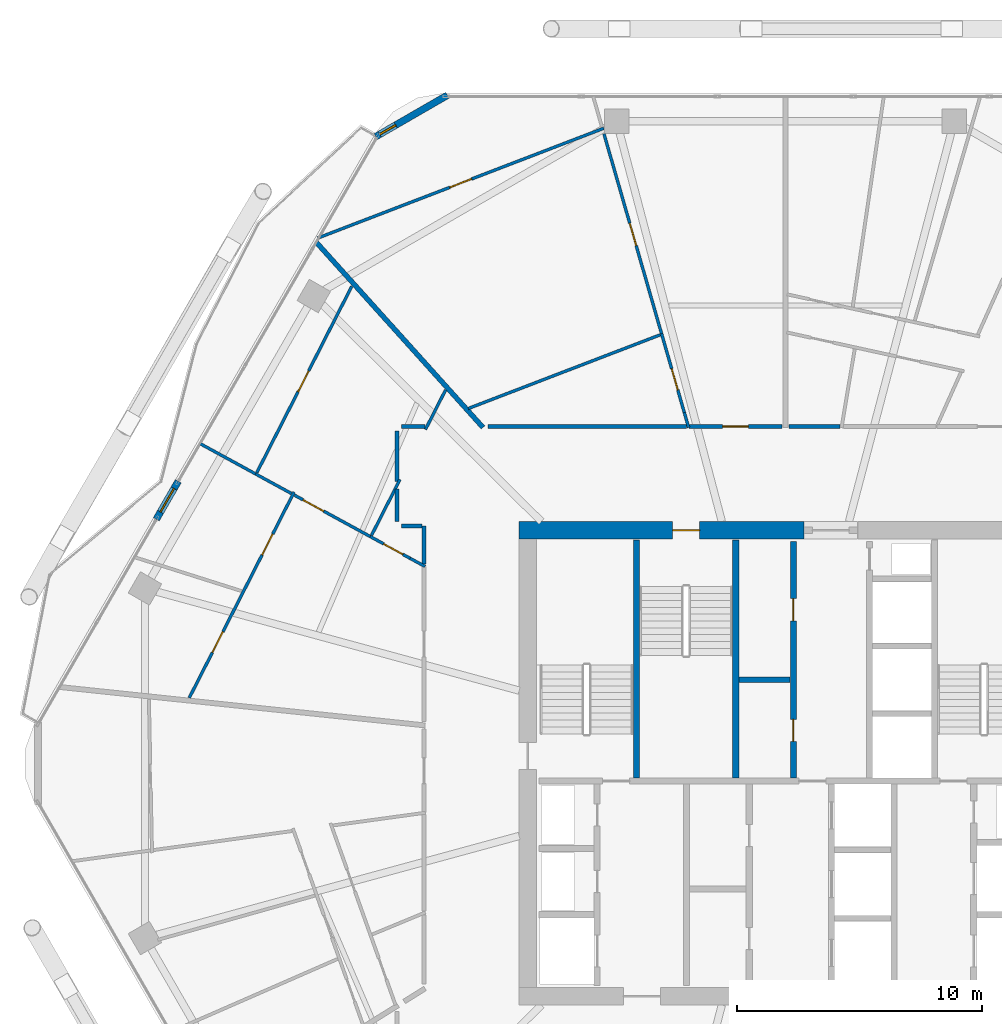
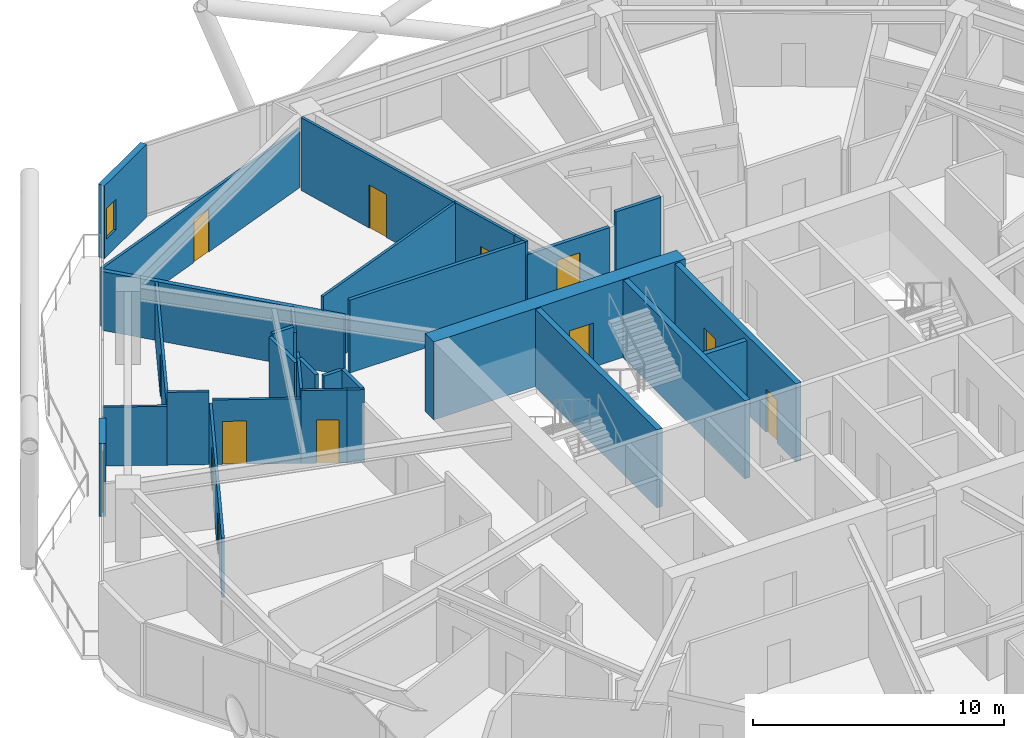
# One storey, part 23 of 28: 30 walls, 13 doors, 1 window, 14 openings.
"""IFC4 building model written with IfcOpenShell, lengths in metres."""

from ifc_helpers import new_model, si_unit, direction, frame, frame_2d, origin, place, context, subcontext, project, spatial, rectangle, extrude, material, layer, layer_set, type_object, element, fill, save


model = new_model("IFC4")

# Units and contexts
model_context = context("Model", 3, precision=1e-05, world=origin(), true_north=direction((0.0, 1.0)))
body_context = subcontext(model_context, "Body", "Model", "MODEL_VIEW")
ifc_project = project(units=[si_unit("LENGTHUNIT", "METRE"), si_unit("AREAUNIT", "SQUARE_METRE"), si_unit("VOLUMEUNIT", "CUBIC_METRE"), si_unit("PLANEANGLEUNIT", "RADIAN"), si_unit("MASSUNIT", "GRAM", prefix="KILO")], contexts=[model_context])

# Site, building, storey
site_placement = place(None, origin())
site = spatial("IfcSite", under=ifc_project, at=site_placement, CompositionType="ELEMENT")
building_placement = place(site_placement, origin())
building = spatial("IfcBuilding", under=site, at=building_placement, Name="Zuhravey Tower", CompositionType="ELEMENT")
storey_placement = place(building_placement, frame((0.0, 0.0, 154.199951171875)))
storey = spatial("IfcBuildingStorey", under=building, at=storey_placement, Name="L38", CompositionType="ELEMENT", Elevation=154.199951171875)

# Wall, opening, door
ifc_material_1 = material(Name="Concrete C60/75", Category="concrete")
ifc_layer_1 = layer(ifc_material_1, 0.699951171875)
ifc_layer_set_1 = layer_set([ifc_layer_1], Name="Concrete C60/75")
wall_type_1 = type_object("IfcWallType", Name="Core Shear Wall 700", PredefinedType="SHEAR", material=ifc_layer_set_1)
wall_1_placement = place(storey_placement, frame((36.75, 41.5, 0.0), z_axis=(0.0, 0.0, 1.0), x_axis=(-1.0, 0.0, 0.0)))
wall_1 = element("IfcWall", 1, at=wall_1_placement, inside=storey, type_object=wall_type_1, Name="L38 North-West Core Shear Wall CW70", PredefinedType="SHEAR", context=body_context, shape_type="SweptSolid", body=[
    extrude(rectangle(XDim=11.60009765625, YDim=0.699951171875, at=frame_2d((5.800048828125, 0.0))), origin(), (0.0, 0.0, 1.0), 3.800048828125),
])
opening_1_placement = place(wall_1_placement, frame((4.25, 0.0, 0.0)))
opening_1 = element("IfcOpeningElement", 2, at=opening_1_placement, cuts=wall_1, Name="Opening STD1", PredefinedType="OPENING", context=body_context, shape_type="SweptSolid", body=[
    extrude(rectangle(XDim=1.10009765625, YDim=2.14990234375, at=frame_2d((0.550048828125, 1.074951171875))), frame((0.0, 0.362060546875, 0.0), z_axis=(0.0, -1.0, 0.0), x_axis=(1.0, 0.0, 0.0)), (0.0, 0.0, 1.0), 0.723876953125),
])
ifc_material_2 = material(Name="Galvanised fire-rated steel leaf", Category="steel")
door_type_1 = type_object("IfcDoorType", Name="Protected Stair Fire Door 1100x2150", OperationType="NOTDEFINED", PredefinedType="USERDEFINED", material=ifc_material_2)
door_1_placement = place(opening_1_placement, origin())
door_1 = element("IfcDoor", 3, at=door_1_placement, inside=storey, type_object=door_type_1, Name="L38 Stair ST3 Door", ObjectType="EXITDOOR", OperationType="SINGLE_SWING_RIGHT", OverallHeight=2.14990234375, OverallWidth=1.10009765625, PredefinedType="USERDEFINED", context=body_context, shape_type="SweptSolid", body=[
    extrude(rectangle(XDim=1.10009765625, YDim=2.14990234375, at=frame_2d((0.550048828125, 1.074951171875))), frame((0.0, 0.02490234375, 0.0), z_axis=(0.0, -1.0, 0.0), x_axis=(1.0, 0.0, 0.0)), (0.0, 0.0, 1.0), 0.050048828125),
])
fill(opening_1, door_1)

ifc_material_3 = material(Name="Gypsum fire-rated stud partition")
ifc_layer_2 = layer(ifc_material_3, 0.159912109375)
ifc_layer_set_2 = layer_set([ifc_layer_2], Name="Gypsum fire-rated stud partition")
wall_type_2 = type_object("IfcWallType", Name="Corridor Fire Partition 160", PredefinedType="PARTITIONING", material=ifc_layer_set_2)
wall_2_placement = place(storey_placement, frame((35.860107421875, 45.72998046875, 0.0), z_axis=(0.0, 0.0, 1.0), x_axis=(-1.0, 0.0, 0.0)))
wall_2 = element("IfcWall", 4, at=wall_2_placement, inside=storey, type_object=wall_type_2, Name="L38 IW16 Partition 031", PredefinedType="PARTITIONING", context=body_context, shape_type="SweptSolid", body=[
    extrude(rectangle(XDim=3.797119140625, YDim=0.159912109375, at=frame_2d((1.8984375, 0.0))), origin(), (0.0, 0.0, 1.0), 2.900146484375),
])
opening_2_placement = place(wall_2_placement, frame((1.37353515625, 0.0, 0.0)))
opening_2 = element("IfcOpeningElement", 5, at=opening_2_placement, cuts=wall_2, Name="Opening APD1", PredefinedType="OPENING", context=body_context, shape_type="SweptSolid", body=[
    extrude(rectangle(XDim=1.050048828125, YDim=2.14990234375, at=frame_2d((0.52490234375, 1.074951171875))), frame((0.0, 0.092041015625, 0.0), z_axis=(0.0, -1.0, 0.0), x_axis=(1.0, 0.0, 0.0)), (0.0, 0.0, 1.0), 0.183837890625),
])
ifc_material_4 = material(Name="Solid-core oak fire-rated leaf")
door_type_2 = type_object("IfcDoorType", Name="Apartment Entrance Fire Door 1050x2150", OperationType="NOTDEFINED", PredefinedType="DOOR", material=ifc_material_4)
door_2_placement = place(opening_2_placement, frame((1.050048828125, 0.0, 0.0), z_axis=(0.0, 0.0, 1.0), x_axis=(-1.0, 0.0, 0.0)))
door_2 = element("IfcDoor", 6, at=door_2_placement, inside=storey, type_object=door_type_2, Name="L38 Door 031.1", OperationType="SINGLE_SWING_LEFT", OverallHeight=2.14990234375, OverallWidth=1.050048828125, PredefinedType="DOOR", context=body_context, shape_type="SweptSolid", body=[
    extrude(rectangle(XDim=1.050048828125, YDim=2.14990234375, at=frame_2d((0.52490234375, 1.074951171875))), frame((0.0, 0.02490234375, 0.0), z_axis=(0.0, -1.0, 0.0), x_axis=(1.0, 0.0, 0.0)), (0.0, 0.0, 1.0), 0.050048828125),
])
fill(opening_2, door_2)

# Walls
wall_3_placement = place(storey_placement, frame((38.228271484375, 45.72998046875, 0.0), z_axis=(0.0, 0.0, 1.0), x_axis=(-1.0, 0.0, 0.0)))
element("IfcWall", 7, at=wall_3_placement, inside=storey, type_object=wall_type_2, Name="L38 IW16 Partition 116", PredefinedType="PARTITIONING", context=body_context, shape_type="SweptSolid", body=[
    extrude(rectangle(XDim=2.08837890625, YDim=0.159912109375, at=frame_2d((1.044189453125, 0.0))), origin(), (0.0, 0.0, 1.0), 3.550048828125),
])
wall_4_placement = place(storey_placement, frame((31.971435546875, 45.72998046875, 0.0), z_axis=(0.0, 0.0, 1.0), x_axis=(-1.0, 0.0, 0.0)))
element("IfcWall", 8, at=wall_4_placement, inside=storey, type_object=wall_type_2, Name="L38 IW16 Partition 117", PredefinedType="PARTITIONING", context=body_context, shape_type="SweptSolid", body=[
    extrude(rectangle(XDim=8.092041015625, YDim=0.159912109375, at=frame_2d((4.0458984375, 0.0))), origin(), (0.0, 0.0, 1.0), 3.550048828125),
])
wall_5_placement = place(storey_placement, frame((21.27001953125, 41.669921875, 0.0), z_axis=(0.0, 0.0, 1.0), x_axis=(0.0, -1.0, 0.0)))
element("IfcWall", 9, at=wall_5_placement, inside=storey, type_object=wall_type_2, Name="L38 IW16 Partition 118", PredefinedType="PARTITIONING", context=body_context, shape_type="SweptSolid", body=[
    extrude(rectangle(XDim=1.548095703125, YDim=0.159912109375, at=frame_2d((0.77392578125, 0.0))), origin(), (0.0, 0.0, 1.0), 3.550048828125),
])
wall_6_placement = place(storey_placement, frame((20.169921875, 43.1865234375, 0.0), z_axis=(0.0, 0.0, 1.0), x_axis=(0.0, -1.0, 0.0)))
element("IfcWall", 10, at=wall_6_placement, inside=storey, type_object=wall_type_2, Name="L38 IW16 Partition 119", PredefinedType="PARTITIONING", context=body_context, shape_type="SweptSolid", body=[
    extrude(rectangle(XDim=1.33642578125, YDim=0.159912109375, at=frame_2d((0.668212890625, 0.0))), origin(), (0.0, 0.0, 1.0), 3.550048828125),
])
wall_7_placement = place(storey_placement, frame((20.35009765625, 41.669921875, 0.0), z_axis=(0.0, 0.0, 1.0), x_axis=(1.0, 0.0, 0.0)))
element("IfcWall", 11, at=wall_7_placement, inside=storey, type_object=wall_type_2, Name="L38 IW16 Partition 120", PredefinedType="PARTITIONING", context=body_context, shape_type="SweptSolid", body=[
    extrude(rectangle(XDim=0.831787109375, YDim=0.159912109375, at=frame_2d((0.416015625, 0.0))), origin(), (0.0, 0.0, 1.0), 3.550048828125),
])
wall_8_placement = place(storey_placement, frame((20.169921875, 45.550048828125, 0.0), z_axis=(0.0, 0.0, 1.0), x_axis=(0.0, -1.0, 0.0)))
element("IfcWall", 12, at=wall_8_placement, inside=storey, type_object=wall_type_2, Name="L38 IW16 Partition 121", PredefinedType="PARTITIONING", context=body_context, shape_type="SweptSolid", body=[
    extrude(rectangle(XDim=2.06396484375, YDim=0.159912109375, at=frame_2d((1.031982421875, 0.0))), origin(), (0.0, 0.0, 1.0), 3.150146484375),
])
wall_9_placement = place(storey_placement, frame((21.313232421875, 45.72998046875, 0.0), z_axis=(0.0, 0.0, 1.0), x_axis=(-1.0, 0.0, 0.0)))
element("IfcWall", 13, at=wall_9_placement, inside=storey, type_object=wall_type_2, Name="L38 IW16 Partition 122", PredefinedType="PARTITIONING", context=body_context, shape_type="SweptSolid", body=[
    extrude(rectangle(XDim=0.963134765625, YDim=0.159912109375, at=frame_2d((0.4814453125, 0.0))), origin(), (0.0, 0.0, 1.0), 3.150146484375),
])

# Wall, opening, door
ifc_material_5 = material(Name="Precast concrete C40/50", Category="concrete")
ifc_layer_3 = layer(ifc_material_5, 0.280029296875)
ifc_layer_set_3 = layer_set([ifc_layer_3], Name="Precast concrete C40/50")
wall_type_3 = type_object("IfcWallType", Name="Crown Architectural Wall 280", PredefinedType="SOLIDWALL", material=ifc_layer_set_3)
wall_10_placement = place(storey_placement, frame((10.353759765625, 41.94580078125, 0.0), z_axis=(0.0, 0.0, 1.0), x_axis=(0.500041240653, 0.866001592173, 0.0)))
wall_10 = element("IfcWall", 14, at=wall_10_placement, inside=storey, type_object=wall_type_3, Name="L38 Face 3 Facade Pier EW28-1", PredefinedType="SOLIDWALL", context=body_context, shape_type="SweptSolid", body=[
    extrude(rectangle(XDim=1.789794921875, YDim=0.280029296875, at=frame_2d((0.89501953125, 0.0))), origin(), (0.0, 0.0, 1.0), 3.550048828125),
])
opening_3_placement = place(wall_10_placement, frame((0.344970703125, 0.0, 0.0)))
opening_3 = element("IfcOpeningElement", 15, at=opening_3_placement, cuts=wall_10, Name="Opening BLD1", PredefinedType="OPENING", context=body_context, shape_type="SweptSolid", body=[
    extrude(rectangle(XDim=1.10009765625, YDim=2.199951171875, at=frame_2d((0.550048828125, 1.10009765625))), frame((0.0, 0.152099609375, 0.0), z_axis=(0.0, -1.0, 0.0), x_axis=(1.0, 0.0, 0.0)), (0.0, 0.0, 1.0), 0.303955078125),
])
ifc_material_6 = material(Name="Thermally broken aluminium and low-E glass", Category="aluminium")
door_type_3 = type_object("IfcDoorType", Name="Balcony & Sky-Tray Glazed Door 1100x2200", OperationType="NOTDEFINED", PredefinedType="DOOR", material=ifc_material_6)
door_3_placement = place(opening_3_placement, frame((1.10009765625, 0.0, 0.0), z_axis=(0.0, 0.0, 1.0), x_axis=(-1.0, 0.0, 0.0)))
door_3 = element("IfcDoor", 16, at=door_3_placement, inside=storey, type_object=door_type_3, Name="L38 Face 3 Wave Balcony Door", OperationType="SINGLE_SWING_RIGHT", OverallHeight=2.199951171875, OverallWidth=1.10009765625, PredefinedType="DOOR", context=body_context, shape_type="SweptSolid", body=[
    extrude(rectangle(XDim=1.10009765625, YDim=2.199951171875, at=frame_2d((0.550048828125, 1.10009765625))), frame((0.0, 0.02490234375, 0.0), z_axis=(0.0, -1.0, 0.0), x_axis=(1.0, 0.0, 0.0)), (0.0, 0.0, 1.0), 0.050048828125),
])
fill(opening_3, door_3)

# Wall, opening, window
wall_11_placement = place(storey_placement, frame((19.306884765625, 57.548095703125, 0.0), z_axis=(0.0, 0.0, 1.0), x_axis=(0.866020068361, 0.500009241111, 0.0)))
wall_11 = element("IfcWall", 17, at=wall_11_placement, inside=storey, type_object=wall_type_3, Name="L38 Rounded Corner Closure Wall EW28-08", PredefinedType="SOLIDWALL", context=body_context, shape_type="SweptSolid", body=[
    extrude(rectangle(XDim=3.365234375, YDim=0.280029296875, at=frame_2d((1.6826171875, 0.0))), origin(), (0.0, 0.0, 1.0), 3.550048828125),
])
opening_4_placement = place(wall_11_placement, frame((0.17919921875, 0.0, 0.85009765625)))
opening_4 = element("IfcOpeningElement", 18, at=opening_4_placement, cuts=wall_11, Name="Opening WN5", PredefinedType="OPENING", context=body_context, shape_type="SweptSolid", body=[
    extrude(rectangle(XDim=0.75, YDim=1.5, at=frame_2d((0.375, 0.75))), frame((0.0, 0.152099609375, 0.0), z_axis=(0.0, -1.0, 0.0), x_axis=(1.0, 0.0, 0.0)), (0.0, 0.0, 1.0), 0.303955078125),
])
ifc_material_7 = material(Name="Thermally broken aluminium and triple low-E glass", Category="aluminium")
window_type = type_object("IfcWindowType", Name="Residential Corner Casement Window 750x1500", PartitioningType="SINGLE_PANEL", PredefinedType="WINDOW", material=ifc_material_7)
window_placement = place(opening_4_placement, origin())
window = element("IfcWindow", 19, at=window_placement, inside=storey, type_object=window_type, Name="L38 Corner Casement Window WN5-08.1", OverallHeight=1.5, OverallWidth=0.75, PartitioningType="SINGLE_PANEL", PredefinedType="WINDOW", context=body_context, shape_type="SweptSolid", body=[
    extrude(rectangle(XDim=0.75, YDim=1.5, at=frame_2d((0.375, 0.75))), frame((0.0, 0.030029296875, 0.0), z_axis=(0.0, -1.0, 0.0), x_axis=(1.0, 0.0, 0.0)), (0.0, 0.0, 1.0), 0.06005859375),
])
fill(opening_4, window)

# Walls
ifc_material_8 = material(Name="Concrete C50/60", Category="concrete")
ifc_layer_4 = layer(ifc_material_8, 0.25)
ifc_layer_set_4 = layer_set([ifc_layer_4], Name="Concrete C50/60")
wall_type_4 = type_object("IfcWallType", Name="Firefighting Shaft & Stair Wall 250", PredefinedType="SOLIDWALL", material=ifc_layer_set_4)
for number, where, z_axis, x_axis, name in (
    (20, (29.925048828125, 31.39990234375, 0.0), (0.0, 0.0, 1.0), (0.0, 1.0, 0.0), "L38 FW25 Shaft Wall 004"),
    (21, (33.97509765625, 31.39990234375, 0.0), (0.0, 0.0, 1.0), (0.0, 1.0, 0.0), "L38 FW25 Shaft Wall 005"),
):
    element("IfcWall", number, at=place(storey_placement, frame(where, z_axis=z_axis, x_axis=x_axis)), inside=storey, type_object=wall_type_4, Name=name, PredefinedType="SOLIDWALL", context=body_context, shape_type="SweptSolid", body=[
        extrude(rectangle(XDim=9.7001953125, YDim=0.25, at=frame_2d((4.85009765625, 0.0))), origin(), (0.0, 0.0, 1.0), 3.800048828125),
    ])

# Wall, openings, doors
wall_12_placement = place(storey_placement, frame((36.324951171875, 31.39990234375, 0.0), z_axis=(0.0, 0.0, 1.0), x_axis=(0.0, 1.0, 0.0)))
wall_12 = element("IfcWall", 22, at=wall_12_placement, inside=storey, type_object=wall_type_4, Name="L38 FW25 Shaft Wall 007", PredefinedType="SOLIDWALL", context=body_context, shape_type="SweptSolid", body=[
    extrude(rectangle(XDim=9.650146484375, YDim=0.25, at=frame_2d((4.8251953125, 0.0))), origin(), (0.0, 0.0, 1.0), 3.800048828125),
])
opening_5_placement = place(wall_12_placement, frame((1.489990234375, 0.0, 0.0)))
opening_5 = element("IfcOpeningElement", 23, at=opening_5_placement, cuts=wall_12, Name="Opening RSD1", PredefinedType="OPENING", context=body_context, shape_type="SweptSolid", body=[
    extrude(rectangle(XDim=0.89990234375, YDim=2.10009765625, at=frame_2d((0.449951171875, 1.050048828125))), frame((0.0, 0.136962890625, 0.0), z_axis=(0.0, -1.0, 0.0), x_axis=(1.0, 0.0, 0.0)), (0.0, 0.0, 1.0), 0.27392578125),
])
opening_6_placement = place(wall_12_placement, frame((6.409912109375, 0.0, 0.0)))
opening_6 = element("IfcOpeningElement", 24, at=opening_6_placement, cuts=wall_12, Name="Opening RSD1", PredefinedType="OPENING", context=body_context, shape_type="SweptSolid", body=[
    extrude(rectangle(XDim=0.89990234375, YDim=2.10009765625, at=frame_2d((0.449951171875, 1.050048828125))), frame((0.0, 0.136962890625, 0.0), z_axis=(0.0, -1.0, 0.0), x_axis=(1.0, 0.0, 0.0)), (0.0, 0.0, 1.0), 0.27392578125),
])
ifc_material_9 = material(Name="Galvanised fire-rated steel access leaf", Category="steel")
door_type_4 = type_object("IfcDoorType", Name="Riser & Shaft Access Fire Door 900x2100", OperationType="NOTDEFINED", PredefinedType="DOOR", material=ifc_material_9)
door_4_placement = place(opening_5_placement, origin())
door_4 = element("IfcDoor", 25, at=door_4_placement, inside=storey, type_object=door_type_4, Name="L38 Core Cleaner Store Door", OperationType="SINGLE_SWING_RIGHT", OverallHeight=2.10009765625, OverallWidth=0.89990234375, PredefinedType="DOOR", context=body_context, shape_type="SweptSolid", body=[
    extrude(rectangle(XDim=0.89990234375, YDim=2.10009765625, at=frame_2d((0.449951171875, 1.050048828125))), frame((0.0, 0.02490234375, 0.0), z_axis=(0.0, -1.0, 0.0), x_axis=(1.0, 0.0, 0.0)), (0.0, 0.0, 1.0), 0.050048828125),
])
fill(opening_5, door_4)
door_5_placement = place(opening_6_placement, origin())
door_5 = element("IfcDoor", 26, at=door_5_placement, inside=storey, type_object=door_type_4, Name="L38 Core Pantry and Tea Room Door", OperationType="SINGLE_SWING_LEFT", OverallHeight=2.10009765625, OverallWidth=0.89990234375, PredefinedType="DOOR", context=body_context, shape_type="SweptSolid", body=[
    extrude(rectangle(XDim=0.89990234375, YDim=2.10009765625, at=frame_2d((0.449951171875, 1.050048828125))), frame((0.0, 0.02490234375, 0.0), z_axis=(0.0, -1.0, 0.0), x_axis=(1.0, 0.0, 0.0)), (0.0, 0.0, 1.0), 0.050048828125),
])
fill(opening_6, door_5)

# Walls
ifc_material_10 = material(Name="Gypsum double-stud party assembly")
ifc_layer_5 = layer(ifc_material_10, 0.199951171875)
ifc_layer_set_5 = layer_set([ifc_layer_5], Name="Gypsum double-stud party assembly")
wall_type_5 = type_object("IfcWallType", Name="Inter-Tenancy Party Wall 200", PredefinedType="PARTITIONING", material=ifc_layer_set_5)
wall_13_placement = place(storey_placement, frame((23.673583984375, 45.68994140625, 0.0), z_axis=(0.0, 0.0, 1.0), x_axis=(-0.669133315117, 0.743142386492, 0.0)))
element("IfcWall", 27, at=wall_13_placement, inside=storey, type_object=wall_type_5, Name="L38 IW20 Partition 079", PredefinedType="PARTITIONING", context=body_context, shape_type="SweptSolid", body=[
    extrude(rectangle(XDim=10.160400390625, YDim=0.199951171875, at=frame_2d((5.080078125, 0.0))), origin(), (0.0, 0.0, 1.0), 2.8701171875),
])
ifc_material_11 = material(Name="Gypsum acoustic stud assembly")
ifc_layer_6 = layer(ifc_material_11, 0.219970703125)
ifc_layer_set_6 = layer_set([ifc_layer_6], Name="Gypsum acoustic stud assembly")
wall_type_6 = type_object("IfcWallType", Name="School Acoustic Compartment Wall 220", PredefinedType="PARTITIONING", material=ifc_layer_set_6)
wall_14_placement = place(storey_placement, frame((34.10791015625, 35.39990234375, 0.0), z_axis=(0.0, 0.0, 1.0), x_axis=(1.0, 0.0, 0.0)))
element("IfcWall", 28, at=wall_14_placement, inside=storey, type_object=wall_type_6, Name="L38 IW22 Partition 056", PredefinedType="PARTITIONING", context=body_context, shape_type="SweptSolid", body=[
    extrude(rectangle(XDim=2.083984375, YDim=0.219970703125, at=frame_2d((1.0419921875, 0.0))), origin(), (0.0, 0.0, 1.0), 3.550048828125),
])

# Wall, opening, door
ifc_material_12 = material(Name="Gypsum metal-stud partition")
ifc_layer_7 = layer(ifc_material_12, 0.1201171875)
ifc_layer_set_7 = layer_set([ifc_layer_7], Name="Gypsum metal-stud partition")
wall_type_7 = type_object("IfcWallType", Name="Unit Internal Partition 120", PredefinedType="PARTITIONING", material=ifc_layer_set_7)
wall_15_placement = place(storey_placement, frame((31.8779296875, 46.300048828125, 0.0), z_axis=(0.0, 0.0, 1.0), x_axis=(-0.276948054291, 0.960884891766, 0.0)))
wall_15 = element("IfcWall", 29, at=wall_15_placement, inside=storey, type_object=wall_type_7, Name="L38 IW12 Partition 028", PredefinedType="PARTITIONING", context=body_context, shape_type="SweptSolid", body=[
    extrude(rectangle(XDim=3.34375, YDim=0.1201171875, at=frame_2d((1.671875, 0.0))), origin(), (0.0, 0.0, 1.0), 3.550048828125),
])
opening_7_placement = place(wall_15_placement, frame((0.954345703125, 0.0, 0.0)))
opening_7 = element("IfcOpeningElement", 30, at=opening_7_placement, cuts=wall_15, Name="Opening WCD1", PredefinedType="OPENING", context=body_context, shape_type="SweptSolid", body=[
    extrude(rectangle(XDim=0.89990234375, YDim=2.10009765625, at=frame_2d((0.449951171875, 1.050048828125))), frame((0.0, 0.072021484375, 0.0), z_axis=(0.0, -1.0, 0.0), x_axis=(1.0, 0.0, 0.0)), (0.0, 0.0, 1.0), 0.14404296875),
])
ifc_material_13 = material(Name="Moisture-resistant timber leaf", Category="wood")
door_type_5 = type_object("IfcDoorType", Name="Bathroom & WC Internal Door 900x2100", OperationType="NOTDEFINED", PredefinedType="DOOR", material=ifc_material_13)
door_6_placement = place(opening_7_placement, origin())
door_6 = element("IfcDoor", 31, at=door_6_placement, inside=storey, type_object=door_type_5, Name="Apartment L38-03 Bathroom Door", OperationType="SINGLE_SWING_RIGHT", OverallHeight=2.10009765625, OverallWidth=0.89990234375, PredefinedType="DOOR", context=body_context, shape_type="SweptSolid", body=[
    extrude(rectangle(XDim=0.89990234375, YDim=2.10009765625, at=frame_2d((0.449951171875, 1.050048828125))), frame((0.0, 0.02490234375, 0.0), z_axis=(0.0, -1.0, 0.0), x_axis=(1.0, 0.0, 0.0)), (0.0, 0.0, 1.0), 0.050048828125),
])
fill(opening_7, door_6)

wall_16_placement = place(storey_placement, frame((30.95166015625, 49.512939453125, 0.0), z_axis=(0.0, 0.0, 1.0), x_axis=(-0.276962142179, 0.960880831217, 0.0)))
wall_16 = element("IfcWall", 32, at=wall_16_placement, inside=storey, type_object=wall_type_7, Name="L38 IW12 Partition 029", PredefinedType="PARTITIONING", context=body_context, shape_type="SweptSolid", body=[
    extrude(rectangle(XDim=8.471923828125, YDim=0.1201171875, at=frame_2d((4.23583984375, 0.0))), origin(), (0.0, 0.0, 1.0), 3.550048828125),
])
opening_8_placement = place(wall_16_placement, frame((3.736083984375, 0.0, 0.0)))
opening_8 = element("IfcOpeningElement", 33, at=opening_8_placement, cuts=wall_16, Name="Opening IND1", PredefinedType="OPENING", context=body_context, shape_type="SweptSolid", body=[
    extrude(rectangle(XDim=0.949951171875, YDim=2.10009765625, at=frame_2d((0.47509765625, 1.050048828125))), frame((0.0, 0.072021484375, 0.0), z_axis=(0.0, -1.0, 0.0), x_axis=(1.0, 0.0, 0.0)), (0.0, 0.0, 1.0), 0.14404296875),
])
ifc_material_14 = material(Name="Painted engineered timber leaf", Category="wood")
door_type_6 = type_object("IfcDoorType", Name="Internal Room & Bedroom Door 950x2100", OperationType="NOTDEFINED", PredefinedType="DOOR", material=ifc_material_14)
door_7_placement = place(opening_8_placement, origin())
door_7 = element("IfcDoor", 34, at=door_7_placement, inside=storey, type_object=door_type_6, Name="Apartment L38-03 Home Office Door", OperationType="SINGLE_SWING_LEFT", OverallHeight=2.10009765625, OverallWidth=0.949951171875, PredefinedType="DOOR", context=body_context, shape_type="SweptSolid", body=[
    extrude(rectangle(XDim=0.949951171875, YDim=2.10009765625, at=frame_2d((0.47509765625, 1.050048828125))), frame((0.0, 0.02490234375, 0.0), z_axis=(0.0, -1.0, 0.0), x_axis=(1.0, 0.0, 0.0)), (0.0, 0.0, 1.0), 0.050048828125),
])
fill(opening_8, door_7)

wall_17_placement = place(storey_placement, frame((28.597900390625, 57.886474609375, 0.0), z_axis=(0.0, 0.0, 1.0), x_axis=(-0.933574508077, -0.358383367177, 0.0)))
wall_17 = element("IfcWall", 35, at=wall_17_placement, inside=storey, type_object=wall_type_7, Name="L38 IW12 Partition 030", PredefinedType="PARTITIONING", context=body_context, shape_type="SweptSolid", body=[
    extrude(rectangle(XDim=12.4970703125, YDim=0.1201171875, at=frame_2d((6.24853515625, 0.0))), origin(), (0.0, 0.0, 1.0), 2.8701171875),
])
opening_9_placement = place(wall_17_placement, frame((5.7734375, 0.0, 0.0)))
opening_9 = element("IfcOpeningElement", 36, at=opening_9_placement, cuts=wall_17, Name="Opening IND1", PredefinedType="OPENING", context=body_context, shape_type="SweptSolid", body=[
    extrude(rectangle(XDim=0.949951171875, YDim=2.10009765625, at=frame_2d((0.47509765625, 1.050048828125))), frame((0.0, 0.072021484375, 0.0), z_axis=(0.0, -1.0, 0.0), x_axis=(1.0, 0.0, 0.0)), (0.0, 0.0, 1.0), 0.14404296875),
])
door_8_placement = place(opening_9_placement, frame((0.949951171875, 0.0, 0.0), z_axis=(0.0, 0.0, 1.0), x_axis=(-1.0, 0.0, 0.0)))
door_8 = element("IfcDoor", 37, at=door_8_placement, inside=storey, type_object=door_type_6, Name="Apartment L38-03 Bedroom 1 Door", OperationType="SINGLE_SWING_RIGHT", OverallHeight=2.10009765625, OverallWidth=0.949951171875, PredefinedType="DOOR", context=body_context, shape_type="SweptSolid", body=[
    extrude(rectangle(XDim=0.949951171875, YDim=2.10009765625, at=frame_2d((0.47509765625, 1.050048828125))), frame((0.0, 0.02490234375, 0.0), z_axis=(0.0, -1.0, 0.0), x_axis=(1.0, 0.0, 0.0)), (0.0, 0.0, 1.0), 0.050048828125),
])
fill(opening_9, door_8)

# Wall, openings, doors
wall_18_placement = place(storey_placement, frame((15.97119140625, 43.05224609375, 0.0), z_axis=(0.0, 0.0, 1.0), x_axis=(-0.453998461699, -0.891002467323, 0.0)))
wall_18 = element("IfcWall", 38, at=wall_18_placement, inside=storey, type_object=wall_type_7, Name="L38 IW12 Partition 032", PredefinedType="PARTITIONING", context=body_context, shape_type="SweptSolid", body=[
    extrude(rectangle(XDim=9.40966796875, YDim=0.1201171875, at=frame_2d((4.704833984375, 0.0))), origin(), (0.0, 0.0, 1.0), 2.900146484375),
])
opening_10_placement = place(wall_18_placement, frame((1.922607421875, 0.0, 0.0)))
opening_10 = element("IfcOpeningElement", 39, at=opening_10_placement, cuts=wall_18, Name="Opening IND1", PredefinedType="OPENING", context=body_context, shape_type="SweptSolid", body=[
    extrude(rectangle(XDim=0.949951171875, YDim=2.10009765625, at=frame_2d((0.47509765625, 1.050048828125))), frame((0.0, 0.072021484375, 0.0), z_axis=(0.0, -1.0, 0.0), x_axis=(1.0, 0.0, 0.0)), (0.0, 0.0, 1.0), 0.14404296875),
])
opening_11_placement = place(wall_18_placement, frame((6.385986328125, 0.0, 0.0)))
opening_11 = element("IfcOpeningElement", 40, at=opening_11_placement, cuts=wall_18, Name="Opening IND1", PredefinedType="OPENING", context=body_context, shape_type="SweptSolid", body=[
    extrude(rectangle(XDim=0.949951171875, YDim=2.10009765625, at=frame_2d((0.47509765625, 1.050048828125))), frame((0.0, 0.072021484375, 0.0), z_axis=(0.0, -1.0, 0.0), x_axis=(1.0, 0.0, 0.0)), (0.0, 0.0, 1.0), 0.14404296875),
])
door_9_placement = place(opening_10_placement, frame((0.949951171875, 0.0, 0.0), z_axis=(0.0, 0.0, 1.0), x_axis=(-1.0, 0.0, 0.0)))
door_9 = element("IfcDoor", 41, at=door_9_placement, inside=storey, type_object=door_type_6, Name="Apartment L38-04 Family Study Door", OperationType="SINGLE_SWING_RIGHT", OverallHeight=2.10009765625, OverallWidth=0.949951171875, PredefinedType="DOOR", context=body_context, shape_type="SweptSolid", body=[
    extrude(rectangle(XDim=0.949951171875, YDim=2.10009765625, at=frame_2d((0.47509765625, 1.050048828125))), frame((0.0, 0.02490234375, 0.0), z_axis=(0.0, -1.0, 0.0), x_axis=(1.0, 0.0, 0.0)), (0.0, 0.0, 1.0), 0.050048828125),
])
fill(opening_10, door_9)
door_10_placement = place(opening_11_placement, frame((0.949951171875, 0.0, 0.0), z_axis=(0.0, 0.0, 1.0), x_axis=(-1.0, 0.0, 0.0)))
door_10 = element("IfcDoor", 42, at=door_10_placement, inside=storey, type_object=door_type_6, Name="Apartment L38-04 Dining Room Door", OperationType="SINGLE_SWING_LEFT", OverallHeight=2.10009765625, OverallWidth=0.949951171875, PredefinedType="DOOR", context=body_context, shape_type="SweptSolid", body=[
    extrude(rectangle(XDim=0.949951171875, YDim=2.10009765625, at=frame_2d((0.47509765625, 1.050048828125))), frame((0.0, 0.02490234375, 0.0), z_axis=(0.0, -1.0, 0.0), x_axis=(1.0, 0.0, 0.0)), (0.0, 0.0, 1.0), 0.050048828125),
])
fill(opening_11, door_10)

# Wall, opening, door
wall_19_placement = place(storey_placement, frame((20.699951171875, 40.355712890625, 0.0), z_axis=(0.0, 0.0, 1.0), x_axis=(-0.877673715659, 0.479258645035, 0.0)))
wall_19 = element("IfcWall", 43, at=wall_19_placement, inside=storey, type_object=wall_type_7, Name="L38 IW12 Partition 033", PredefinedType="PARTITIONING", context=body_context, shape_type="SweptSolid", body=[
    extrude(rectangle(XDim=1.851318359375, YDim=0.1201171875, at=frame_2d((0.92578125, 0.0))), origin(), (0.0, 0.0, 1.0), 3.550048828125),
])
opening_12_placement = place(wall_19_placement, frame((0.327392578125, 0.0, 0.0)))
opening_12 = element("IfcOpeningElement", 44, at=opening_12_placement, cuts=wall_19, Name="Opening WCD1", PredefinedType="OPENING", context=body_context, shape_type="SweptSolid", body=[
    extrude(rectangle(XDim=0.89990234375, YDim=2.10009765625, at=frame_2d((0.449951171875, 1.050048828125))), frame((0.0, 0.072021484375, 0.0), z_axis=(0.0, -1.0, 0.0), x_axis=(1.0, 0.0, 0.0)), (0.0, 0.0, 1.0), 0.14404296875),
])
door_11_placement = place(opening_12_placement, frame((0.89990234375, 0.0, 0.0), z_axis=(0.0, 0.0, 1.0), x_axis=(-1.0, 0.0, 0.0)))
door_11 = element("IfcDoor", 45, at=door_11_placement, inside=storey, type_object=door_type_5, Name="Apartment L38-04 Bathroom Door", OperationType="SINGLE_SWING_RIGHT", OverallHeight=2.10009765625, OverallWidth=0.89990234375, PredefinedType="DOOR", context=body_context, shape_type="SweptSolid", body=[
    extrude(rectangle(XDim=0.89990234375, YDim=2.10009765625, at=frame_2d((0.449951171875, 1.050048828125))), frame((0.0, 0.02490234375, 0.0), z_axis=(0.0, -1.0, 0.0), x_axis=(1.0, 0.0, 0.0)), (0.0, 0.0, 1.0), 0.050048828125),
])
fill(opening_12, door_11)

wall_20_placement = place(storey_placement, frame((19.0751953125, 41.242919921875, 0.0), z_axis=(0.0, 0.0, 1.0), x_axis=(-0.877641033672, 0.479318491209, 0.0)))
wall_20 = element("IfcWall", 46, at=wall_20_placement, inside=storey, type_object=wall_type_7, Name="L38 IW12 Partition 034", PredefinedType="PARTITIONING", context=body_context, shape_type="SweptSolid", body=[
    extrude(rectangle(XDim=3.5205078125, YDim=0.1201171875, at=frame_2d((1.76025390625, 0.0))), origin(), (0.0, 0.0, 1.0), 3.150146484375),
])
opening_13_placement = place(wall_20_placement, frame((2.1640625, 0.0, 0.0)))
opening_13 = element("IfcOpeningElement", 47, at=opening_13_placement, cuts=wall_20, Name="Opening IND1", PredefinedType="OPENING", context=body_context, shape_type="SweptSolid", body=[
    extrude(rectangle(XDim=0.949951171875, YDim=2.10009765625, at=frame_2d((0.47509765625, 1.050048828125))), frame((0.0, 0.072021484375, 0.0), z_axis=(0.0, -1.0, 0.0), x_axis=(1.0, 0.0, 0.0)), (0.0, 0.0, 1.0), 0.14404296875),
])
door_12_placement = place(opening_13_placement, frame((0.949951171875, 0.0, 0.0), z_axis=(0.0, 0.0, 1.0), x_axis=(-1.0, 0.0, 0.0)))
door_12 = element("IfcDoor", 48, at=door_12_placement, inside=storey, type_object=door_type_6, Name="Apartment L38-04 Home Office Door", OperationType="SINGLE_SWING_LEFT", OverallHeight=2.10009765625, OverallWidth=0.949951171875, PredefinedType="DOOR", context=body_context, shape_type="SweptSolid", body=[
    extrude(rectangle(XDim=0.949951171875, YDim=2.10009765625, at=frame_2d((0.47509765625, 1.050048828125))), frame((0.0, 0.02490234375, 0.0), z_axis=(0.0, -1.0, 0.0), x_axis=(1.0, 0.0, 0.0)), (0.0, 0.0, 1.0), 0.050048828125),
])
fill(opening_13, door_12)

# Wall
wall_21_placement = place(storey_placement, frame((15.865966796875, 42.99560546875, 0.0), z_axis=(0.0, 0.0, 1.0), x_axis=(-0.877627518141, 0.479343237567, 0.0)))
element("IfcWall", 49, at=wall_21_placement, inside=storey, type_object=wall_type_7, Name="L38 IW12 Partition 035", PredefinedType="PARTITIONING", context=body_context, shape_type="SweptSolid", body=[
    extrude(rectangle(XDim=1.671630859375, YDim=0.1201171875, at=frame_2d((0.8359375, 0.0))), origin(), (0.0, 0.0, 1.0), 3.550048828125),
])

# Wall, opening, door
wall_22_placement = place(storey_placement, frame((18.32177734375, 51.4404296875, 0.0), z_axis=(0.0, 0.0, 1.0), x_axis=(-0.453994428703, -0.891004522271, 0.0)))
wall_22 = element("IfcWall", 50, at=wall_22_placement, inside=storey, type_object=wall_type_7, Name="L38 IW12 Partition 036", PredefinedType="PARTITIONING", context=body_context, shape_type="SweptSolid", body=[
    extrude(rectangle(XDim=8.524169921875, YDim=0.1201171875, at=frame_2d((4.26220703125, 0.0))), origin(), (0.0, 0.0, 1.0), 2.900146484375),
])
opening_14_placement = place(wall_22_placement, frame((3.87109375, 0.0, 0.0)))
opening_14 = element("IfcOpeningElement", 51, at=opening_14_placement, cuts=wall_22, Name="Opening IND1", PredefinedType="OPENING", context=body_context, shape_type="SweptSolid", body=[
    extrude(rectangle(XDim=0.949951171875, YDim=2.10009765625, at=frame_2d((0.47509765625, 1.050048828125))), frame((0.0, 0.072021484375, 0.0), z_axis=(0.0, -1.0, 0.0), x_axis=(1.0, 0.0, 0.0)), (0.0, 0.0, 1.0), 0.14404296875),
])
door_13_placement = place(opening_14_placement, frame((0.949951171875, 0.0, 0.0), z_axis=(0.0, 0.0, 1.0), x_axis=(-1.0, 0.0, 0.0)))
door_13 = element("IfcDoor", 52, at=door_13_placement, inside=storey, type_object=door_type_6, Name="Apartment L38-04 Bedroom 1 Door", OperationType="SINGLE_SWING_RIGHT", OverallHeight=2.10009765625, OverallWidth=0.949951171875, PredefinedType="DOOR", context=body_context, shape_type="SweptSolid", body=[
    extrude(rectangle(XDim=0.949951171875, YDim=2.10009765625, at=frame_2d((0.47509765625, 1.050048828125))), frame((0.0, 0.02490234375, 0.0), z_axis=(0.0, -1.0, 0.0), x_axis=(1.0, 0.0, 0.0)), (0.0, 0.0, 1.0), 0.050048828125),
])
fill(opening_14, door_13)

# Walls
wall_23_placement = place(storey_placement, frame((32.054931640625, 45.68603515625, 0.0), z_axis=(0.0, 0.0, 1.0), x_axis=(-0.276991075919, 0.960872490948, 0.0)))
element("IfcWall", 53, at=wall_23_placement, inside=storey, type_object=wall_type_7, Name="L38 IW12 Partition 076", PredefinedType="PARTITIONING", context=body_context, shape_type="SweptSolid", body=[
    extrude(rectangle(XDim=0.638916015625, YDim=0.1201171875, at=frame_2d((0.3193359375, 0.0))), origin(), (0.0, 0.0, 1.0), 3.550048828125),
])
wall_24_placement = place(storey_placement, frame((30.89501953125, 49.464599609375, 0.0), z_axis=(0.0, 0.0, 1.0), x_axis=(-0.933572192245, -0.358389399769, 0.0)))
element("IfcWall", 54, at=wall_24_placement, inside=storey, type_object=wall_type_7, Name="L38 IW12 Partition 078", PredefinedType="PARTITIONING", context=body_context, shape_type="SweptSolid", body=[
    extrude(rectangle(XDim=8.379638671875, YDim=0.1201171875, at=frame_2d((4.18994140625, 0.0))), origin(), (0.0, 0.0, 1.0), 3.550048828125),
])
wall_25_placement = place(storey_placement, frame((21.311767578125, 40.021484375, 0.0), z_axis=(0.0, 0.0, 1.0), x_axis=(-0.877587577205, 0.479416358018, 0.0)))
element("IfcWall", 55, at=wall_25_placement, inside=storey, type_object=wall_type_7, Name="L38 IW12 Partition 081", PredefinedType="PARTITIONING", context=body_context, shape_type="SweptSolid", body=[
    extrude(rectangle(XDim=0.697265625, YDim=0.1201171875, at=frame_2d((0.3486328125, 0.0))), origin(), (0.0, 0.0, 1.0), 3.550048828125),
])
wall_26_placement = place(storey_placement, frame((14.39892578125, 43.796875, 0.0), z_axis=(0.0, 0.0, 1.0), x_axis=(-0.877682394772, 0.4792427505, 0.0)))
element("IfcWall", 56, at=wall_26_placement, inside=storey, type_object=wall_type_7, Name="L38 IW12 Partition 082", PredefinedType="PARTITIONING", context=body_context, shape_type="SweptSolid", body=[
    extrude(rectangle(XDim=2.583251953125, YDim=0.1201171875, at=frame_2d((1.29150390625, 0.0))), origin(), (0.0, 0.0, 1.0), 2.8701171875),
])
wall_27_placement = place(storey_placement, frame((22.1494140625, 47.22119140625, 0.0), z_axis=(0.0, 0.0, 1.0), x_axis=(-0.453952076252, -0.891026100889, 0.0)))
element("IfcWall", 57, at=wall_27_placement, inside=storey, type_object=wall_type_7, Name="L38 IW12 Partition 083", PredefinedType="PARTITIONING", context=body_context, shape_type="SweptSolid", body=[
    extrude(rectangle(XDim=1.80810546875, YDim=0.1201171875, at=frame_2d((0.904052734375, 0.0))), origin(), (0.0, 0.0, 1.0), 2.900146484375),
])
wall_28_placement = place(storey_placement, frame((20.2900390625, 43.57177734375, 0.0), z_axis=(0.0, 0.0, 1.0), x_axis=(-0.453992946101, -0.891005277701, 0.0)))
element("IfcWall", 58, at=wall_28_placement, inside=storey, type_object=wall_type_7, Name="L38 IW12 Partition 084", PredefinedType="PARTITIONING", context=body_context, shape_type="SweptSolid", body=[
    extrude(rectangle(XDim=2.559326171875, YDim=0.1201171875, at=frame_2d((1.27978515625, 0.0))), origin(), (0.0, 0.0, 1.0), 3.550048828125),
])

save(model, "model.ifc")
